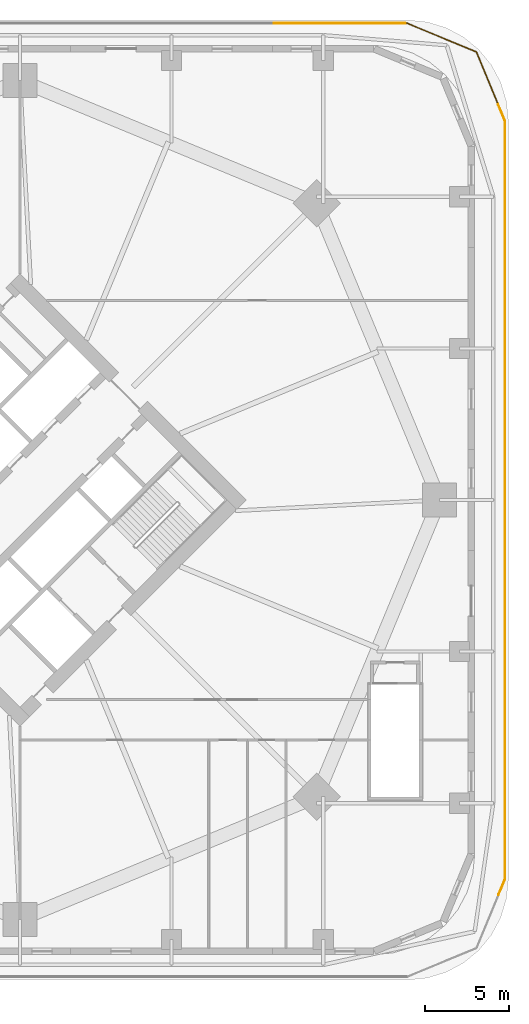
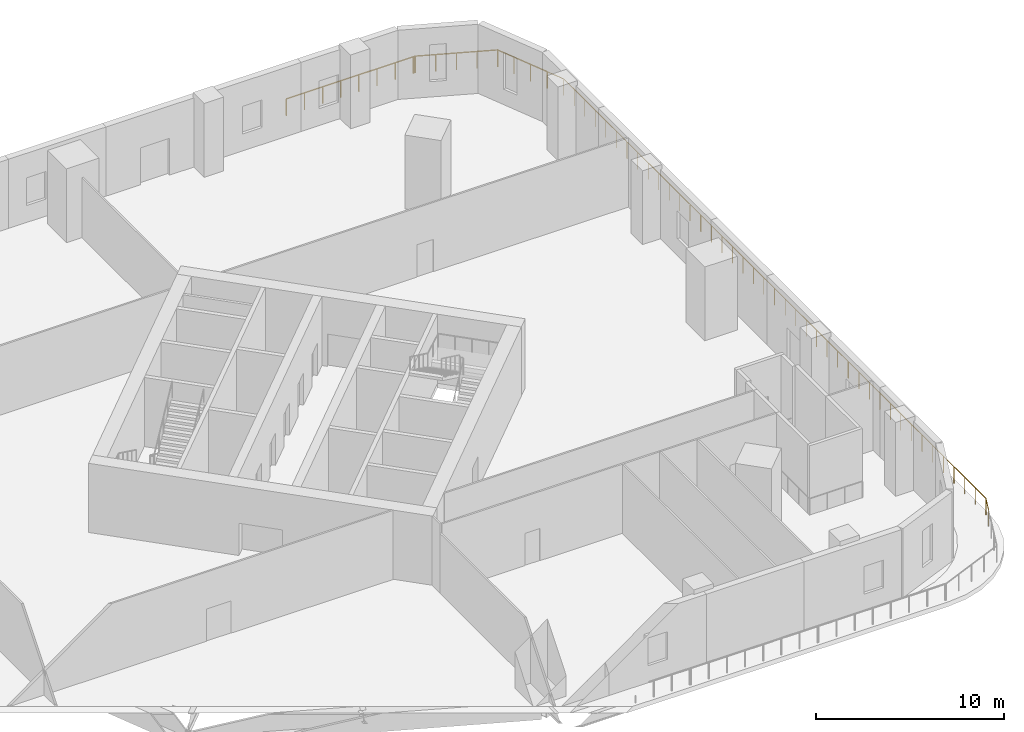
# One storey, part 16 of 16: 8 railings.
"""IFC4 building model written with IfcOpenShell, lengths in metres."""

from ifc_helpers import new_model, si_unit, direction, frame, origin, origin_2d, place, context, subcontext, project, spatial, circle, extrude, material, type_object, element, save


model = new_model("IFC4")

# Units and contexts
model_context = context("Model", 3, precision=1e-05, world=origin(), true_north=direction((0.0, 1.0)))
body_context = subcontext(model_context, "Body", "Model", "MODEL_VIEW")
ifc_project = project(units=[si_unit("LENGTHUNIT", "METRE"), si_unit("AREAUNIT", "SQUARE_METRE"), si_unit("VOLUMEUNIT", "CUBIC_METRE"), si_unit("PLANEANGLEUNIT", "RADIAN"), si_unit("MASSUNIT", "GRAM", prefix="KILO")], contexts=[model_context])

# Site, building, storey
site_placement = place(None, origin())
site = spatial("IfcSite", under=ifc_project, at=site_placement, CompositionType="ELEMENT")
building_placement = place(site_placement, origin())
building = spatial("IfcBuilding", under=site, at=building_placement, Name="Ogive Gate Towers", CompositionType="ELEMENT")
storey_placement = place(building_placement, frame((0.0, 0.0, 22.800048828125)))
storey = spatial("IfcBuildingStorey", under=building, at=storey_placement, Name="L04", CompositionType="ELEMENT", Elevation=22.800048828125)

# Railings
ifc_material = material(Name="Stainless steel", Category="steel")
railing_type = type_object("IfcRailingType", Name="Guard 1100", PredefinedType="GUARDRAIL", material=ifc_material)
railing_1_placement = place(storey_placement, frame((64.409912109375, -23.441650390625, 0.0)))
element("IfcRailing", 1, at=railing_1_placement, inside=storey, type_object=railing_type, Name="Terrace guard", PredefinedType="GUARDRAIL", context=body_context, shape_type="SweptSolid", body=[
    extrude(circle(Radius=0.02392578125, at=origin_2d()), frame((0.0, 0.0, 1.076171875), z_axis=(0.382760771371, 0.923847493854, 0.0), x_axis=(-0.923847493854, 0.382760771371, 0.0)), (0.0, 0.0, 1.0), 1.019287109375),
    extrude(circle(Radius=0.02392578125, at=origin_2d()), frame((0.39013671875, 0.941650390625, 1.076171875), z_axis=(0.0, 1.0, 0.0), x_axis=(-1.0, 0.0, 0.0)), (0.0, 0.0, 1.0), 6.789794921875),
    extrude(circle(Radius=0.02099609375, at=origin_2d()), origin(), (0.0, 0.0, 1.0), 1.052001953125),
    extrude(circle(Radius=0.02099609375, at=origin_2d()), frame((0.39013671875, 0.941650390625, 0.0)), (0.0, 0.0, 1.0), 1.052001953125),
    extrude(circle(Radius=0.02099609375, at=origin_2d()), frame((0.39013671875, 2.0732421875, 0.0)), (0.0, 0.0, 1.0), 1.052001953125),
    extrude(circle(Radius=0.02099609375, at=origin_2d()), frame((0.39013671875, 3.204833984375, 0.0)), (0.0, 0.0, 1.0), 1.052001953125),
    extrude(circle(Radius=0.02099609375, at=origin_2d()), frame((0.39013671875, 4.33642578125, 0.0)), (0.0, 0.0, 1.0), 1.052001953125),
    extrude(circle(Radius=0.02099609375, at=origin_2d()), frame((0.39013671875, 5.46826171875, 0.0)), (0.0, 0.0, 1.0), 1.052001953125),
    extrude(circle(Radius=0.02099609375, at=origin_2d()), frame((0.39013671875, 6.599853515625, 0.0)), (0.0, 0.0, 1.0), 1.052001953125),
    extrude(circle(Radius=0.02099609375, at=origin_2d()), frame((0.39013671875, 7.7314453125, 0.0)), (0.0, 0.0, 1.0), 1.052001953125),
])
for number, where, name in (
    (2, (64.800048828125, -15.660400390625, 0.0), "Terrace guard"),
    (3, (64.800048828125, -7.80126953125, 0.0), "Terrace guard"),
    (4, (64.800048828125, 0.0576171875, 0.0), "Terrace guard"),
    (5, (64.800048828125, 7.91650390625, 0.0), "Terrace guard"),
):
    element("IfcRailing", number, at=place(storey_placement, frame(where)), inside=storey, type_object=railing_type, Name=name, PredefinedType="GUARDRAIL", context=body_context, shape_type="SweptSolid", body=[
        extrude(circle(Radius=0.02392578125, at=origin_2d()), frame((0.0, 0.0, 1.076171875), z_axis=(0.0, 1.0, 0.0), x_axis=(-1.0, 0.0, 0.0)), (0.0, 0.0, 1.0), 7.80908203125),
        extrude(circle(Radius=0.02099609375, at=origin_2d()), origin(), (0.0, 0.0, 1.0), 1.052001953125),
        extrude(circle(Radius=0.02099609375, at=origin_2d()), frame((0.0, 1.115478515625, 0.0)), (0.0, 0.0, 1.0), 1.052001953125),
        extrude(circle(Radius=0.02099609375, at=origin_2d()), frame((0.0, 2.231201171875, 0.0)), (0.0, 0.0, 1.0), 1.052001953125),
        extrude(circle(Radius=0.02099609375, at=origin_2d()), frame((0.0, 3.3466796875, 0.0)), (0.0, 0.0, 1.0), 1.052001953125),
        extrude(circle(Radius=0.02099609375, at=origin_2d()), frame((0.0, 4.46240234375, 0.0)), (0.0, 0.0, 1.0), 1.052001953125),
        extrude(circle(Radius=0.02099609375, at=origin_2d()), frame((0.0, 5.577880859375, 0.0)), (0.0, 0.0, 1.0), 1.052001953125),
        extrude(circle(Radius=0.02099609375, at=origin_2d()), frame((0.0, 6.693603515625, 0.0)), (0.0, 0.0, 1.0), 1.052001953125),
        extrude(circle(Radius=0.02099609375, at=origin_2d()), frame((0.0, 7.80908203125, 0.0)), (0.0, 0.0, 1.0), 1.052001953125),
    ])
railing_2_placement = place(storey_placement, frame((64.800048828125, 15.775634765625, 0.0)))
element("IfcRailing", 6, at=railing_2_placement, inside=storey, type_object=railing_type, Name="Terrace guard", PredefinedType="GUARDRAIL", context=body_context, shape_type="SweptSolid", body=[
    extrude(circle(Radius=0.02392578125, at=origin_2d()), frame((0.0, 0.0, 1.076171875), z_axis=(0.0, 1.0, 0.0), x_axis=(-1.0, 0.0, 0.0)), (0.0, 0.0, 1.0), 6.724365234375),
    extrude(circle(Radius=0.02392578125, at=origin_2d()), frame((0.0, 6.724365234375, 1.076171875), z_axis=(-0.382696410016, 0.923874156886, 0.0), x_axis=(-0.923874156886, -0.382696410016, 0.0)), (0.0, 0.0, 1.0), 1.08447265625),
    extrude(circle(Radius=0.02099609375, at=origin_2d()), origin(), (0.0, 0.0, 1.0), 1.052001953125),
    extrude(circle(Radius=0.02099609375, at=origin_2d()), frame((0.0, 1.12060546875, 0.0)), (0.0, 0.0, 1.0), 1.052001953125),
    extrude(circle(Radius=0.02099609375, at=origin_2d()), frame((0.0, 2.241455078125, 0.0)), (0.0, 0.0, 1.0), 1.052001953125),
    extrude(circle(Radius=0.02099609375, at=origin_2d()), frame((0.0, 3.3623046875, 0.0)), (0.0, 0.0, 1.0), 1.052001953125),
    extrude(circle(Radius=0.02099609375, at=origin_2d()), frame((0.0, 4.48291015625, 0.0)), (0.0, 0.0, 1.0), 1.052001953125),
    extrude(circle(Radius=0.02099609375, at=origin_2d()), frame((0.0, 5.603515625, 0.0)), (0.0, 0.0, 1.0), 1.052001953125),
    extrude(circle(Radius=0.02099609375, at=origin_2d()), frame((0.0, 6.724365234375, 0.0)), (0.0, 0.0, 1.0), 1.052001953125),
    extrude(circle(Radius=0.02099609375, at=origin_2d()), frame((-0.4150390625, 7.726318359375, 0.0)), (0.0, 0.0, 1.0), 1.052001953125),
])
railing_3_placement = place(storey_placement, frame((64.36572265625, 23.548095703125, 0.0)))
element("IfcRailing", 7, at=railing_3_placement, inside=storey, type_object=railing_type, Name="Terrace guard", PredefinedType="GUARDRAIL", context=body_context, shape_type="SweptSolid", body=[
    extrude(circle(Radius=0.02392578125, at=origin_2d()), frame((0.0, 0.0, 1.076171875), z_axis=(-0.382610610834, 0.923909692815, 0.0), x_axis=(-0.923909692815, -0.382610610834, 0.0)), (0.0, 0.0, 1.0), 3.3046875),
    extrude(circle(Radius=0.02392578125, at=origin_2d()), frame((-1.264404296875, 3.05322265625, 1.076171875), z_axis=(-0.923886797369, 0.382665892976, 0.0), x_axis=(-0.382665892976, -0.923886797369, 0.0)), (0.0, 0.0, 1.0), 4.439208984375),
    extrude(circle(Radius=0.02392578125, at=origin_2d()), frame((-5.36572265625, 4.751953125, 1.076171875), z_axis=(-1.0, 0.0, 0.0), x_axis=(0.0, -1.0, 0.0)), (0.0, 0.0, 1.0), 0.065185546875),
    extrude(circle(Radius=0.02099609375, at=origin_2d()), origin(), (0.0, 0.0, 1.0), 1.052001953125),
    extrude(circle(Radius=0.02099609375, at=origin_2d()), frame((-0.42138671875, 1.017822265625, 0.0)), (0.0, 0.0, 1.0), 1.052001953125),
    extrude(circle(Radius=0.02099609375, at=origin_2d()), frame((-0.843017578125, 2.035400390625, 0.0)), (0.0, 0.0, 1.0), 1.052001953125),
    extrude(circle(Radius=0.02099609375, at=origin_2d()), frame((-1.264404296875, 3.05322265625, 0.0)), (0.0, 0.0, 1.0), 1.052001953125),
    extrude(circle(Radius=0.02099609375, at=origin_2d()), frame((-2.289794921875, 3.47802734375, 0.0)), (0.0, 0.0, 1.0), 1.052001953125),
    extrude(circle(Radius=0.02099609375, at=origin_2d()), frame((-3.31494140625, 3.902587890625, 0.0)), (0.0, 0.0, 1.0), 1.052001953125),
    extrude(circle(Radius=0.02099609375, at=origin_2d()), frame((-4.34033203125, 4.3271484375, 0.0)), (0.0, 0.0, 1.0), 1.052001953125),
    extrude(circle(Radius=0.02099609375, at=origin_2d()), frame((-5.36572265625, 4.751953125, 0.0)), (0.0, 0.0, 1.0), 1.052001953125),
    extrude(circle(Radius=0.02099609375, at=origin_2d()), frame((-5.430908203125, 4.751953125, 0.0)), (0.0, 0.0, 1.0), 1.052001953125),
])
railing_4_placement = place(storey_placement, frame((58.884765625, 28.300048828125, 0.0)))
element("IfcRailing", 8, at=railing_4_placement, inside=storey, type_object=railing_type, Name="Terrace guard", PredefinedType="GUARDRAIL", context=body_context, shape_type="SweptSolid", body=[
    extrude(circle(Radius=0.02392578125, at=origin_2d()), frame((0.0, 0.0, 1.076171875), z_axis=(-1.0, 0.0, 0.0), x_axis=(0.0, -1.0, 0.0)), (0.0, 0.0, 1.0), 7.80908203125),
    extrude(circle(Radius=0.02099609375, at=origin_2d()), origin(), (0.0, 0.0, 1.0), 1.052001953125),
    extrude(circle(Radius=0.02099609375, at=origin_2d()), frame((-1.115478515625, 0.0, 0.0)), (0.0, 0.0, 1.0), 1.052001953125),
    extrude(circle(Radius=0.02099609375, at=origin_2d()), frame((-2.231201171875, 0.0, 0.0)), (0.0, 0.0, 1.0), 1.052001953125),
    extrude(circle(Radius=0.02099609375, at=origin_2d()), frame((-3.3466796875, 0.0, 0.0)), (0.0, 0.0, 1.0), 1.052001953125),
    extrude(circle(Radius=0.02099609375, at=origin_2d()), frame((-4.46240234375, 0.0, 0.0)), (0.0, 0.0, 1.0), 1.052001953125),
    extrude(circle(Radius=0.02099609375, at=origin_2d()), frame((-5.577880859375, 0.0, 0.0)), (0.0, 0.0, 1.0), 1.052001953125),
    extrude(circle(Radius=0.02099609375, at=origin_2d()), frame((-6.693603515625, 0.0, 0.0)), (0.0, 0.0, 1.0), 1.052001953125),
    extrude(circle(Radius=0.02099609375, at=origin_2d()), frame((-7.80908203125, 0.0, 0.0)), (0.0, 0.0, 1.0), 1.052001953125),
])

save(model, "model.ifc")
